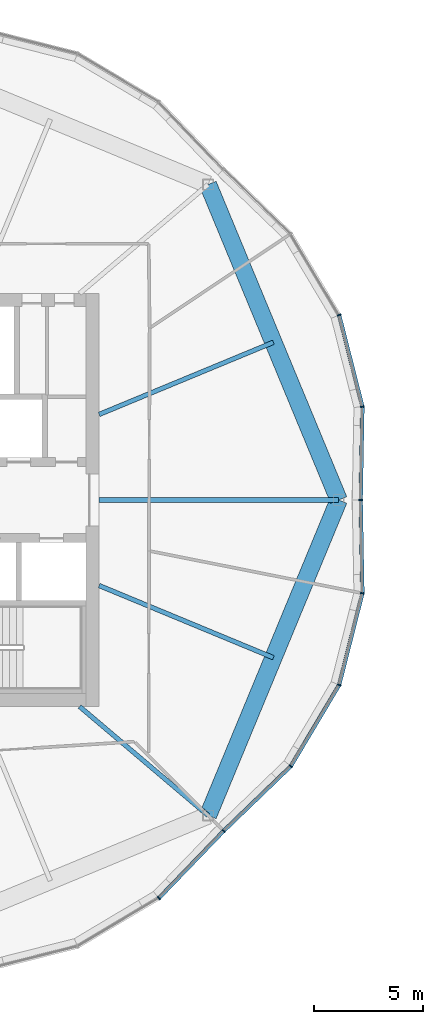
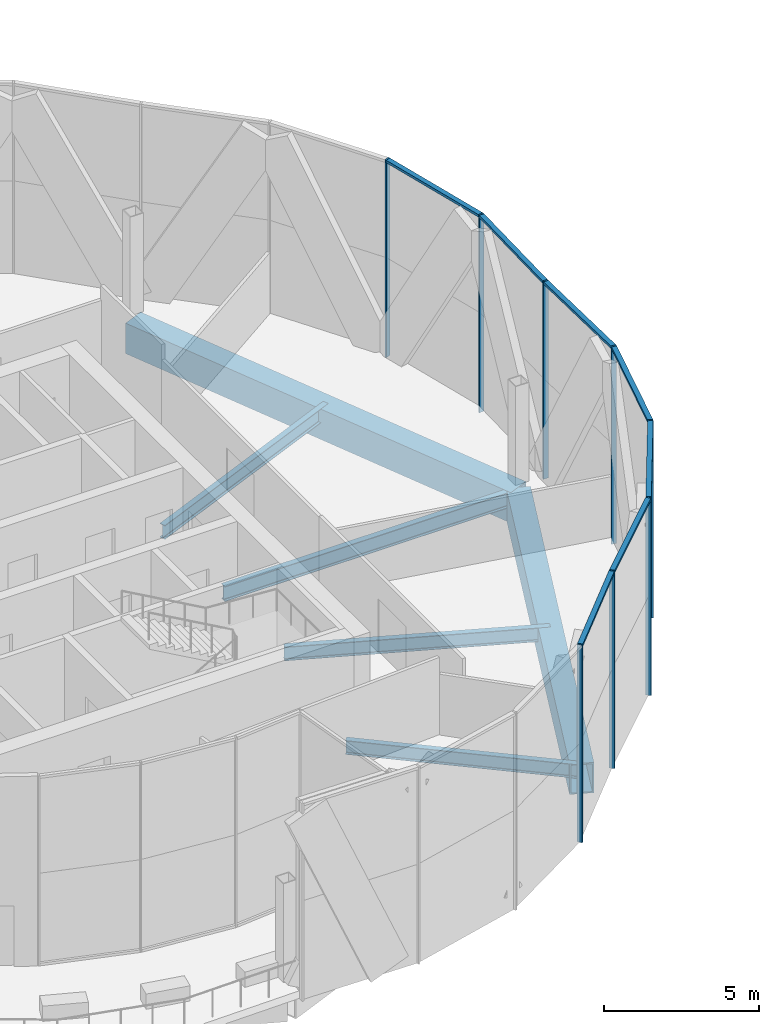
# One storey, part 7 of 27: 15 members, 6 beams, 3 elements without a shape of their own.
"""IFC4 building model written with IfcOpenShell, lengths in metres."""

from ifc_helpers import new_model, si_unit, direction, frame, origin, origin_2d, place, context, subcontext, project, spatial, rectangle, hollow_rectangle, i_section, extrude, material, material_profile, profile_set, type_object, element, aggregate, save


model = new_model("IFC4")

# Units and contexts
model_context = context("Model", 3, precision=1e-05, world=origin(), true_north=direction((0.0, 1.0)))
body_context = subcontext(model_context, "Body", "Model", "MODEL_VIEW")
ifc_project = project(units=[si_unit("LENGTHUNIT", "METRE"), si_unit("AREAUNIT", "SQUARE_METRE"), si_unit("VOLUMEUNIT", "CUBIC_METRE"), si_unit("PLANEANGLEUNIT", "RADIAN"), si_unit("MASSUNIT", "GRAM", prefix="KILO")], contexts=[model_context])

# Site, building, storey
site_placement = place(None, origin())
site = spatial("IfcSite", under=ifc_project, at=site_placement, CompositionType="ELEMENT")
building_placement = place(site_placement, origin())
building = spatial("IfcBuilding", under=site, at=building_placement, Name="Ogive Gate Towers", CompositionType="ELEMENT")
storey_placement = place(building_placement, frame((0.0, 0.0, 189.0)))
storey = spatial("IfcBuildingStorey", under=building, at=storey_placement, Name="L45", CompositionType="ELEMENT", Elevation=189.0)

# Beams
ifc_material_1 = material(Name="Steel SM460", Category="steel")
ifc_material_profile_1 = material_profile(ifc_material_1, hollow_rectangle(XDim=0.800048828125, YDim=1.199951171875, WallThickness=0.050048828125, at=origin_2d()), Name="BX 1200x800x50")
ifc_profile_set_1 = profile_set([ifc_material_profile_1], Name="Steel SM460")
beam_type_1 = type_object("IfcBeamType", Name="Edge girder BX 1200x800x50", PredefinedType="BEAM", material=ifc_profile_set_1)
for number, where, z_axis, x_axis, name in (
    (1, (-21.490234375, -14.509765625, -0.89990234375), (0.38268953008, 0.923877006731, 0.0), (-0.923877006731, 0.38268953008, 0.0), "T1/L45/SBM019"),
    (2, (-15.47998046875, 0.0, -0.89990234375), (-0.38268953008, 0.923877006731, 0.0), (-0.923877006731, -0.38268953008, 0.0), "T1/L45/SBM020"),
):
    element("IfcBeam", number, at=place(storey_placement, frame(where, z_axis=z_axis, x_axis=x_axis)), inside=storey, type_object=beam_type_1, Name=name, PredefinedType="BEAM", context=body_context, shape_type="SweptSolid", body=[
        extrude(hollow_rectangle(XDim=0.800048828125, YDim=1.199951171875, WallThickness=0.050048828125, at=origin_2d()), origin(), (0.0, 0.0, 1.0), 15.705322265625),
    ])
ifc_material_2 = material(Name="Steel SM355", Category="steel")
ifc_material_profile_2 = material_profile(ifc_material_2, i_section(OverallWidth=0.2099609375, OverallDepth=0.550048828125, WebThickness=0.010986328125, FlangeThickness=0.01708984375, FilletRadius=0.02392578125, at=origin_2d()), Name="IPE 550")
ifc_profile_set_2 = profile_set([ifc_material_profile_2], Name="Steel SM355")
beam_type_2 = type_object("IfcBeamType", Name="Radial floor beam IPE 550", PredefinedType="BEAM", material=ifc_profile_set_2)
beam_1_placement = place(storey_placement, frame((-27.39990234375, -9.5, -0.574951171875), z_axis=(0.762795484328, -0.64663981403, 0.0), x_axis=(0.64663981403, 0.762795484328, 0.0)))
element("IfcBeam", 3, at=beam_1_placement, inside=storey, type_object=beam_type_2, Name="T1/L45/SBM005", PredefinedType="BEAM", context=body_context, shape_type="SweptSolid", body=[
    extrude(i_section(OverallWidth=0.2099609375, OverallDepth=0.550048828125, WebThickness=0.010986328125, FlangeThickness=0.01708984375, FilletRadius=0.02392578125, at=origin_2d()), origin(), (0.0, 0.0, 1.0), 7.747314453125),
])
for number, where, z_axis, x_axis, name in (
    (4, (-26.5, -3.93505859375, -0.574951171875), (0.92388169199, -0.382678218882, 0.0), (0.382678218882, 0.92388169199, 0.0), "T1/L45/SBM006"),
    (5, (-26.5, 3.93505859375, -0.574951171875), (0.92388169199, 0.382678218882, 0.0), (-0.382678218882, 0.92388169199, 0.0), "T1/L45/SBM008"),
):
    element("IfcBeam", number, at=place(storey_placement, frame(where, z_axis=z_axis, x_axis=x_axis)), inside=storey, type_object=beam_type_2, Name=name, PredefinedType="BEAM", context=body_context, shape_type="SweptSolid", body=[
        extrude(i_section(OverallWidth=0.2099609375, OverallDepth=0.550048828125, WebThickness=0.010986328125, FlangeThickness=0.01708984375, FilletRadius=0.02392578125, at=origin_2d()), origin(), (0.0, 0.0, 1.0), 8.67529296875),
    ])
ifc_material_profile_3 = material_profile(ifc_material_2, i_section(OverallWidth=0.219970703125, OverallDepth=0.60009765625, WebThickness=0.011962890625, FlangeThickness=0.01904296875, FilletRadius=0.02392578125, at=origin_2d()), Name="IPE 600")
ifc_profile_set_3 = profile_set([ifc_material_profile_3], Name="Steel SM355")
beam_type_3 = type_object("IfcBeamType", Name="Radial floor beam IPE 600", PredefinedType="BEAM", material=ifc_profile_set_3)
beam_2_placement = place(storey_placement, frame((-26.5, 0.0, -0.60009765625), z_axis=(1.0, 0.0, 0.0), x_axis=(0.0, 1.0, 0.0)))
element("IfcBeam", 6, at=beam_2_placement, inside=storey, type_object=beam_type_3, Name="T1/L45/SBM007", PredefinedType="BEAM", context=body_context, shape_type="SweptSolid", body=[
    extrude(i_section(OverallWidth=0.219970703125, OverallDepth=0.60009765625, WebThickness=0.011962890625, FlangeThickness=0.01904296875, FilletRadius=0.02392578125, at=origin_2d()), origin(), (0.0, 0.0, 1.0), 11.02001953125),
])

# Curtain wall, members
ifc_material_3 = material(Name="Pale metal aluminium", Category="aluminium")
curtain_wall_type = type_object("IfcCurtainWallType", Name="Tower unitised wall, high zone", PredefinedType="NOTDEFINED", material=ifc_material_3)
curtain_wall_1_placement = place(storey_placement, origin())
curtain_wall_1 = element("IfcCurtainWall", 7, at=curtain_wall_1_placement, inside=storey, type_object=curtain_wall_type, Name="CW2 T1 ECW04", PredefinedType="NOTDEFINED")
ifc_material_profile_4 = material_profile(ifc_material_3, rectangle(XDim=0.179931640625, YDim=0.06005859375, at=origin_2d()), Name="60 x 180 aluminium box")
ifc_profile_set_4 = profile_set([ifc_material_profile_4], Name="Pale metal aluminium")
member_type_1 = type_object("IfcMemberType", Name="Tower unitised wall, high zone mullion 60 x 180", PredefinedType="MULLION", material=ifc_profile_set_4)
member_1_placement = place(storey_placement, frame((-15.461181640625, 8.50732421875, -0.300048828125), z_axis=(0.0, 0.0, 1.0), x_axis=(-0.923879532511, -0.382683432365, 0.0)))
member_1 = element("IfcMember", 8, at=member_1_placement, type_object=member_type_1, Name="CW2 mullion", PredefinedType="MULLION", context=body_context, shape_type="SweptSolid", body=[
    extrude(rectangle(XDim=0.179931640625, YDim=0.06005859375, at=origin_2d()), origin(), (0.0, 0.0, 1.0), 7.800048828125),
])
member_2_placement = place(storey_placement, frame((-14.39111328125, 4.2890625, -0.300048828125), z_axis=(0.0, 0.0, 1.0), x_axis=(-0.993394813642, -0.114746434496, 0.0)))
member_2 = element("IfcMember", 9, at=member_2_placement, type_object=member_type_1, Name="CW2 mullion", PredefinedType="MULLION", context=body_context, shape_type="SweptSolid", body=[
    extrude(rectangle(XDim=0.179931640625, YDim=0.06005859375, at=origin_2d()), origin(), (0.0, 0.0, 1.0), 7.800048828125),
])
member_3_placement = place(storey_placement, frame((-14.469970703125, -0.000244140625, -0.300048828125), z_axis=(0.0, 0.0, 1.0), x_axis=(-0.999830481388, 0.018412183135, 0.0)))
member_3 = element("IfcMember", 10, at=member_3_placement, type_object=member_type_1, Name="CW2 mullion", PredefinedType="MULLION", context=body_context, shape_type="SweptSolid", body=[
    extrude(rectangle(XDim=0.179931640625, YDim=0.06005859375, at=origin_2d()), origin(), (0.0, 0.0, 1.0), 7.800048828125),
])

curtain_wall_2_placement = place(storey_placement, origin())
curtain_wall_2 = element("IfcCurtainWall", 11, at=curtain_wall_2_placement, inside=storey, type_object=curtain_wall_type, Name="CW2 T1 ECW09", PredefinedType="NOTDEFINED")
member_4_placement = place(storey_placement, frame((-20.77587890625, -15.223876953125, -0.300048828125), z_axis=(0.0, 0.0, 1.0), x_axis=(-0.720030516576, 0.693942400491, 0.0)))
member_4 = element("IfcMember", 12, at=member_4_placement, type_object=member_type_1, Name="CW2 mullion", PredefinedType="MULLION", context=body_context, shape_type="SweptSolid", body=[
    extrude(rectangle(XDim=0.179931640625, YDim=0.06005859375, at=origin_2d()), origin(), (0.0, 0.0, 1.0), 7.800048828125),
])
member_5_placement = place(storey_placement, frame((-23.7529296875, -18.312744140625, -0.300048828125), z_axis=(0.0, 0.0, 1.0), x_axis=(-0.621298227173, 0.783574191071, 0.0)))
member_5 = element("IfcMember", 13, at=member_5_placement, type_object=member_type_1, Name="CW2 mullion", PredefinedType="MULLION", context=body_context, shape_type="SweptSolid", body=[
    extrude(rectangle(XDim=0.179931640625, YDim=0.06005859375, at=origin_2d()), origin(), (0.0, 0.0, 1.0), 7.800048828125),
])

curtain_wall_3_placement = place(storey_placement, origin())
curtain_wall_3 = element("IfcCurtainWall", 14, at=curtain_wall_3_placement, inside=storey, type_object=curtain_wall_type, Name="CW2 T1 ECW10", PredefinedType="NOTDEFINED")
member_6_placement = place(storey_placement, frame((-14.39111328125, -4.2890625, -0.300048828125), z_axis=(0.0, 0.0, 1.0), x_axis=(-0.993394813642, 0.114746434496, 0.0)))
member_6 = element("IfcMember", 15, at=member_6_placement, type_object=member_type_1, Name="CW2 mullion", PredefinedType="MULLION", context=body_context, shape_type="SweptSolid", body=[
    extrude(rectangle(XDim=0.179931640625, YDim=0.06005859375, at=origin_2d()), origin(), (0.0, 0.0, 1.0), 7.800048828125),
])
member_7_placement = place(storey_placement, frame((-15.461181640625, -8.50732421875, -0.300048828125), z_axis=(0.0, 0.0, 1.0), x_axis=(-0.923879532511, 0.382683432365, 0.0)))
member_7 = element("IfcMember", 16, at=member_7_placement, type_object=member_type_1, Name="CW2 mullion", PredefinedType="MULLION", context=body_context, shape_type="SweptSolid", body=[
    extrude(rectangle(XDim=0.179931640625, YDim=0.06005859375, at=origin_2d()), origin(), (0.0, 0.0, 1.0), 7.800048828125),
])
member_8_placement = place(storey_placement, frame((-17.687255859375, -12.2470703125, -0.300048828125), z_axis=(0.0, 0.0, 1.0), x_axis=(-0.783574191071, 0.621298227173, 0.0)))
member_8 = element("IfcMember", 17, at=member_8_placement, type_object=member_type_1, Name="CW2 mullion", PredefinedType="MULLION", context=body_context, shape_type="SweptSolid", body=[
    extrude(rectangle(XDim=0.179931640625, YDim=0.06005859375, at=origin_2d()), origin(), (0.0, 0.0, 1.0), 7.800048828125),
])

# Member
ifc_material_profile_5 = material_profile(ifc_material_3, rectangle(XDim=0.179931640625, YDim=0.10009765625, at=origin_2d()), Name="100 x 180 aluminium box")
ifc_profile_set_5 = profile_set([ifc_material_profile_5], Name="Pale metal aluminium")
member_type_2 = type_object("IfcMemberType", Name="Tower unitised wall, high zone transom 100 x 180", PredefinedType="USERDEFINED", material=ifc_profile_set_5)
member_9_placement = place(storey_placement, frame((-15.453369140625, 8.47705078125, 7.449951171875), z_axis=(0.245895816575, -0.969296263993, 0.0), x_axis=(0.969296263993, 0.245895816575, 0.0)))
member_9 = element("IfcMember", 18, at=member_9_placement, type_object=member_type_2, Name="CW2 transom", ObjectType="TRANSOM", PredefinedType="USERDEFINED", context=body_context, shape_type="SweptSolid", body=[
    extrude(rectangle(XDim=0.179931640625, YDim=0.10009765625, at=origin_2d()), origin(), (0.0, 0.0, 1.0), 4.2890625),
])

member_10_placement = place(storey_placement, frame((-14.3916015625, 4.2578125, 7.449951171875), z_axis=(-0.018417016697, -0.999830392365, 0.0), x_axis=(0.999830392365, -0.018417016697, 0.0)))
member_10 = element("IfcMember", 19, at=member_10_placement, type_object=member_type_2, Name="CW2 transom", ObjectType="TRANSOM", PredefinedType="USERDEFINED", context=body_context, shape_type="SweptSolid", body=[
    extrude(rectangle(XDim=0.179931640625, YDim=0.10009765625, at=origin_2d()), origin(), (0.0, 0.0, 1.0), 4.228759765625),
])

aggregate(curtain_wall_1, [member_1, member_2, member_9, member_3, member_10])

member_11_placement = place(storey_placement, frame((-20.796630859375, -15.245361328125, 7.449951171875), z_axis=(-0.693938958182, -0.720033834147, 0.0), x_axis=(0.720033834147, -0.693938958182, 0.0)))
member_11 = element("IfcMember", 20, at=member_11_placement, type_object=member_type_2, Name="CW2 transom", ObjectType="TRANSOM", PredefinedType="USERDEFINED", context=body_context, shape_type="SweptSolid", body=[
    extrude(rectangle(XDim=0.179931640625, YDim=0.10009765625, at=origin_2d()), origin(), (0.0, 0.0, 1.0), 4.228759765625),
])

aggregate(curtain_wall_2, [member_4, member_5, member_11])

member_12_placement = place(storey_placement, frame((-14.469482421875, -0.02978515625, 7.449951171875), z_axis=(0.018417016697, -0.999830392365, 0.0), x_axis=(0.999830392365, 0.018417016697, 0.0)))
member_12 = element("IfcMember", 21, at=member_12_placement, type_object=member_type_2, Name="CW2 transom", ObjectType="TRANSOM", PredefinedType="USERDEFINED", context=body_context, shape_type="SweptSolid", body=[
    extrude(rectangle(XDim=0.179931640625, YDim=0.10009765625, at=origin_2d()), origin(), (0.0, 0.0, 1.0), 4.228759765625),
])

member_13_placement = place(storey_placement, frame((-14.398681640625, -4.319580078125, 7.449951171875), z_axis=(-0.245895816575, -0.969296263993, 0.0), x_axis=(0.969296263993, -0.245895816575, 0.0)))
member_13 = element("IfcMember", 22, at=member_13_placement, type_object=member_type_2, Name="CW2 transom", ObjectType="TRANSOM", PredefinedType="USERDEFINED", context=body_context, shape_type="SweptSolid", body=[
    extrude(rectangle(XDim=0.179931640625, YDim=0.10009765625, at=origin_2d()), origin(), (0.0, 0.0, 1.0), 4.2890625),
])

member_14_placement = place(storey_placement, frame((-15.477294921875, -8.534423828125, 7.449951171875), z_axis=(-0.511470851097, -0.859300627533, 0.0), x_axis=(0.859300627533, -0.511470851097, 0.0)))
member_14 = element("IfcMember", 23, at=member_14_placement, type_object=member_type_2, Name="CW2 transom", ObjectType="TRANSOM", PredefinedType="USERDEFINED", context=body_context, shape_type="SweptSolid", body=[
    extrude(rectangle(XDim=0.179931640625, YDim=0.10009765625, at=origin_2d()), origin(), (0.0, 0.0, 1.0), 4.289306640625),
])

member_15_placement = place(storey_placement, frame((-17.709716796875, -12.268798828125, 7.449951171875), z_axis=(-0.720033834147, -0.693938958182, 0.0), x_axis=(0.693938958182, -0.720033834147, 0.0)))
member_15 = element("IfcMember", 24, at=member_15_placement, type_object=member_type_2, Name="CW2 transom", ObjectType="TRANSOM", PredefinedType="USERDEFINED", context=body_context, shape_type="SweptSolid", body=[
    extrude(rectangle(XDim=0.179931640625, YDim=0.10009765625, at=origin_2d()), origin(), (0.0, 0.0, 1.0), 4.228759765625),
])

aggregate(curtain_wall_3, [member_6, member_12, member_7, member_13, member_8, member_14, member_15])

save(model, "model.ifc")
